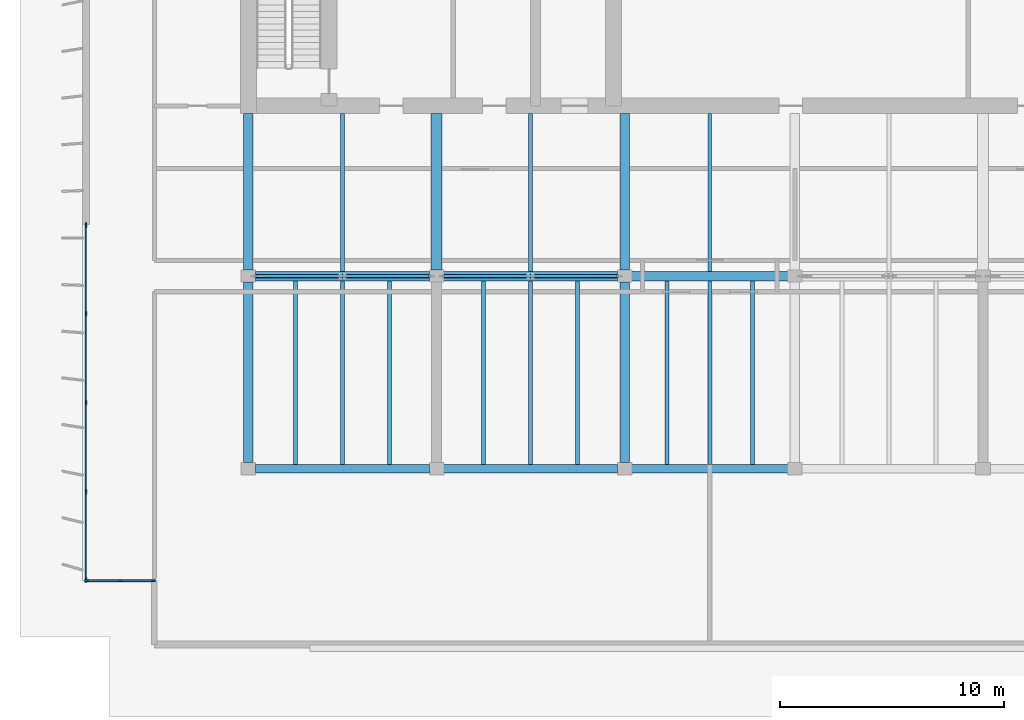
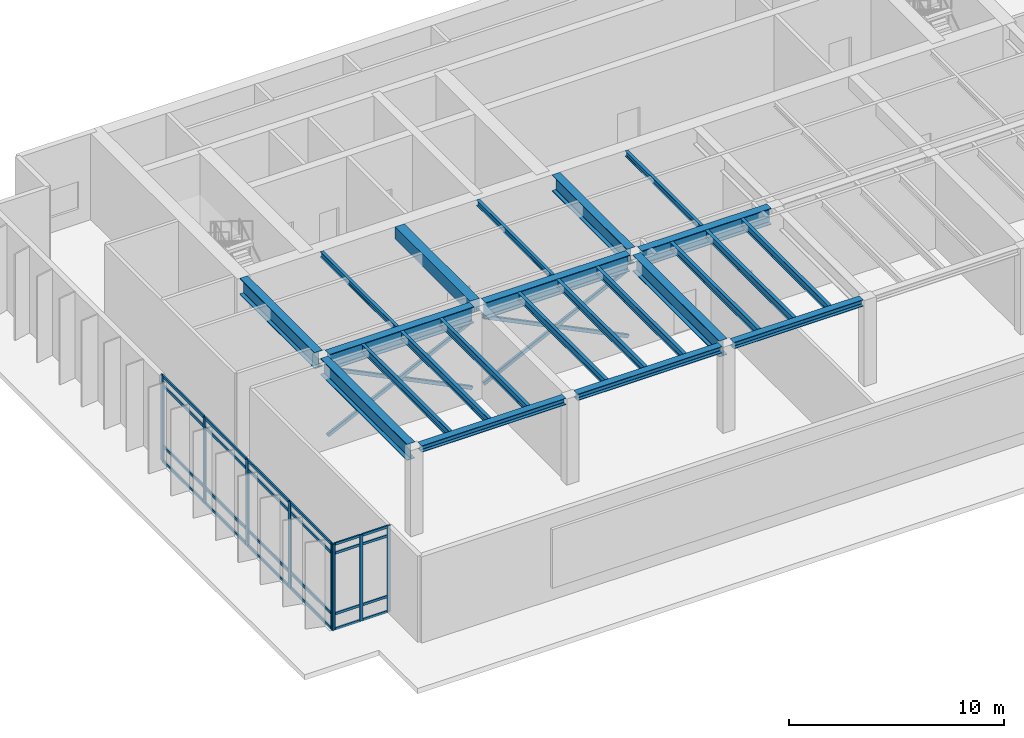
# One storey, part 2 of 12: 38 members, 23 beams, 2 elements without a shape of their own.
"""IFC4 building model written with IfcOpenShell, lengths in metres."""

from ifc_helpers import new_model, si_unit, direction, frame, origin, origin_2d, place, context, subcontext, project, spatial, rectangle, hollow_rectangle, i_section, extrude, material, layer, layer_set, material_profile, profile_set, type_object, element, aggregate, save


model = new_model("IFC4")

# Units and contexts
model_context = context("Model", 3, precision=1e-05, world=origin(), true_north=direction((0.0, 1.0)))
body_context = subcontext(model_context, "Body", "Model", "MODEL_VIEW")
ifc_project = project(units=[si_unit("LENGTHUNIT", "METRE"), si_unit("AREAUNIT", "SQUARE_METRE"), si_unit("VOLUMEUNIT", "CUBIC_METRE"), si_unit("PLANEANGLEUNIT", "RADIAN"), si_unit("MASSUNIT", "GRAM", prefix="KILO")], contexts=[model_context])

# Site, building, storey
site_placement = place(None, origin())
site = spatial("IfcSite", under=ifc_project, at=site_placement, CompositionType="ELEMENT")
building_placement = place(site_placement, origin())
building = spatial("IfcBuilding", under=site, at=building_placement, Name="Caelmar Bay Residences", CompositionType="ELEMENT")
storey_placement = place(building_placement, frame((0.0, 0.0, 274.199951171875)))
storey = spatial("IfcBuildingStorey", under=building, at=storey_placement, Name="L77", CompositionType="ELEMENT", Elevation=274.199951171875)

# Beams
ifc_material_1 = material(Name="Steel ASTM A992 Grade 50", Category="steel")
ifc_material_profile_1 = material_profile(ifc_material_1, i_section(OverallWidth=0.177978515625, OverallDepth=0.406005859375, WebThickness=0.0078125, FlangeThickness=0.0126953125, FilletRadius=0.0087890625, at=origin_2d()), Name="W16X40")
ifc_profile_set_1 = profile_set([ifc_material_profile_1], Name="Steel ASTM A992 Grade 50")
beam_type_1 = type_object("IfcBeamType", Name="BM-BAL-W16X40", PredefinedType="JOIST", material=ifc_profile_set_1)
for number, where, z_axis, x_axis, name in (
    (1, (20.39990234375, 20.986572265625, 4.697021484375), (0.0, 1.0, 0.0), (-1.0, 0.0, 0.0), "L77 Composite Floor Joist 1"),
    (2, (22.5, 20.986572265625, 4.697021484375), (0.0, 1.0, 0.0), (-1.0, 0.0, 0.0), "L77 Composite Floor Joist 2"),
    (3, (24.60009765625, 20.986572265625, 4.697021484375), (0.0, 1.0, 0.0), (-1.0, 0.0, 0.0), "L77 Composite Floor Joist 3"),
    (4, (28.800048828125, 20.986572265625, 4.697021484375), (0.0, 1.0, 0.0), (-1.0, 0.0, 0.0), "L77 Composite Floor Joist 4"),
    (5, (30.89990234375, 20.986572265625, 4.697021484375), (0.0, 1.0, 0.0), (-1.0, 0.0, 0.0), "L77 Composite Floor Joist 5"),
    (6, (33.0, 20.986572265625, 4.697021484375), (0.0, 1.0, 0.0), (-1.0, 0.0, 0.0), "L77 Composite Floor Joist 6"),
    (7, (37.0, 20.986572265625, 4.697021484375), (0.0, 1.0, 0.0), (-1.0, 0.0, 0.0), "L77 Composite Floor Joist 7"),
    (8, (38.89990234375, 20.986572265625, 4.697021484375), (0.0, 1.0, 0.0), (-1.0, 0.0, 0.0), "L77 Composite Floor Joist 8"),
    (9, (40.800048828125, 20.986572265625, 4.697021484375), (0.0, 1.0, 0.0), (-1.0, 0.0, 0.0), "L77 Composite Floor Joist 9"),
):
    element("IfcBeam", number, at=place(storey_placement, frame(where, z_axis=z_axis, x_axis=x_axis)), inside=storey, type_object=beam_type_1, Name=name, PredefinedType="JOIST", context=body_context, shape_type="SweptSolid", body=[
        extrude(i_section(OverallWidth=0.177978515625, OverallDepth=0.406005859375, WebThickness=0.0078125, FlangeThickness=0.0126953125, FilletRadius=0.0087890625, at=origin_2d()), origin(), (0.0, 0.0, 1.0), 8.202392578125),
    ])
ifc_material_profile_2 = material_profile(ifc_material_1, i_section(OverallWidth=0.373046875, OverallDepth=0.373046875, WebThickness=0.016357421875, FlangeThickness=0.026123046875, FilletRadius=0.01513671875, at=origin_2d()), Name="W14X132")
ifc_profile_set_2 = profile_set([ifc_material_profile_2], Name="Steel ASTM A992 Grade 50")
beam_type_2 = type_object("IfcBeamType", Name="BM-CHD-W14X132", PredefinedType="BEAM", material=ifc_profile_set_2)
for number, where, z_axis, x_axis, name in (
    (10, (18.614990234375, 20.800048828125, 4.713623046875), (1.0, 0.0, 0.0), (0.0, 1.0, 0.0), "L77 East-West Girder Y=20.80 (18.3-26.7)"),
    (11, (27.014892578125, 20.800048828125, 4.713623046875), (1.0, 0.0, 0.0), (0.0, 1.0, 0.0), "L77 East-West Girder Y=20.80 (26.7-35.1)"),
):
    element("IfcBeam", number, at=place(storey_placement, frame(where, z_axis=z_axis, x_axis=x_axis)), inside=storey, type_object=beam_type_2, Name=name, PredefinedType="BEAM", context=body_context, shape_type="SweptSolid", body=[
        extrude(i_section(OverallWidth=0.373046875, OverallDepth=0.373046875, WebThickness=0.016357421875, FlangeThickness=0.026123046875, FilletRadius=0.01513671875, at=origin_2d()), origin(), (0.0, 0.0, 1.0), 7.77001953125),
    ])
beam_1_placement = place(storey_placement, frame((35.4150390625, 20.800048828125, 4.713623046875), z_axis=(1.0, 0.0, 0.0), x_axis=(0.0, 1.0, 0.0)))
element("IfcBeam", 12, at=beam_1_placement, inside=storey, type_object=beam_type_2, Name="L77 East-West Girder Y=20.80 (35.1-42.7)", PredefinedType="BEAM", context=body_context, shape_type="SweptSolid", body=[
    extrude(i_section(OverallWidth=0.373046875, OverallDepth=0.373046875, WebThickness=0.016357421875, FlangeThickness=0.026123046875, FilletRadius=0.01513671875, at=origin_2d()), origin(), (0.0, 0.0, 1.0), 6.969970703125),
])
ifc_material_profile_3 = material_profile(ifc_material_1, i_section(OverallWidth=0.422119140625, OverallDepth=0.925048828125, WebThickness=0.021240234375, FlangeThickness=0.03662109375, FilletRadius=0.020263671875, at=origin_2d()), Name="W36X262")
ifc_profile_set_3 = profile_set([ifc_material_profile_3], Name="Steel ASTM A992 Grade 50")
beam_type_3 = type_object("IfcBeamType", Name="BM-GRD-W36X262", PredefinedType="BEAM", material=ifc_profile_set_3)
for number, where, z_axis, x_axis, name in (
    (13, (18.614990234375, 29.39990234375, 4.4375), (1.0, 0.0, 0.0), (0.0, 1.0, 0.0), "L77 East-West Girder Y=29.40 (18.3-26.7)"),
    (14, (27.014892578125, 29.39990234375, 4.4375), (1.0, 0.0, 0.0), (0.0, 1.0, 0.0), "L77 East-West Girder Y=29.40 (26.7-35.1)"),
):
    element("IfcBeam", number, at=place(storey_placement, frame(where, z_axis=z_axis, x_axis=x_axis)), inside=storey, type_object=beam_type_3, Name=name, PredefinedType="BEAM", context=body_context, shape_type="SweptSolid", body=[
        extrude(i_section(OverallWidth=0.422119140625, OverallDepth=0.925048828125, WebThickness=0.021240234375, FlangeThickness=0.03662109375, FilletRadius=0.020263671875, at=origin_2d()), origin(), (0.0, 0.0, 1.0), 7.77001953125),
    ])
beam_2_placement = place(storey_placement, frame((35.4150390625, 29.39990234375, 4.4375), z_axis=(1.0, 0.0, 0.0), x_axis=(0.0, 1.0, 0.0)))
element("IfcBeam", 15, at=beam_2_placement, inside=storey, type_object=beam_type_3, Name="L77 East-West Girder Y=29.40 (35.1-42.7)", PredefinedType="BEAM", context=body_context, shape_type="SweptSolid", body=[
    extrude(i_section(OverallWidth=0.422119140625, OverallDepth=0.925048828125, WebThickness=0.021240234375, FlangeThickness=0.03662109375, FilletRadius=0.020263671875, at=origin_2d()), origin(), (0.0, 0.0, 1.0), 6.969970703125),
])
beam_3_placement = place(storey_placement, frame((18.300048828125, 29.6650390625, 4.4375), z_axis=(0.0, 1.0, 0.0), x_axis=(-1.0, 0.0, 0.0)))
element("IfcBeam", 16, at=beam_3_placement, inside=storey, type_object=beam_type_3, Name="L77 Core Tie Girder X=18.30", PredefinedType="BEAM", context=body_context, shape_type="SweptSolid", body=[
    extrude(i_section(OverallWidth=0.422119140625, OverallDepth=0.925048828125, WebThickness=0.021240234375, FlangeThickness=0.03662109375, FilletRadius=0.020263671875, at=origin_2d()), origin(), (0.0, 0.0, 1.0), 6.98486328125),
])
beam_4_placement = place(storey_placement, frame((18.300048828125, 21.06494140625, 4.4375), z_axis=(0.0, 1.0, 0.0), x_axis=(-1.0, 0.0, 0.0)))
element("IfcBeam", 17, at=beam_4_placement, inside=storey, type_object=beam_type_3, Name="L77 North-South Girder X=18.30 (20.8-29.4)", PredefinedType="BEAM", context=body_context, shape_type="SweptSolid", body=[
    extrude(i_section(OverallWidth=0.422119140625, OverallDepth=0.925048828125, WebThickness=0.021240234375, FlangeThickness=0.03662109375, FilletRadius=0.020263671875, at=origin_2d()), origin(), (0.0, 0.0, 1.0), 8.070068359375),
])
beam_5_placement = place(storey_placement, frame((35.10009765625, 29.6650390625, 4.4375), z_axis=(0.0, 1.0, 0.0), x_axis=(-1.0, 0.0, 0.0)))
element("IfcBeam", 18, at=beam_5_placement, inside=storey, type_object=beam_type_3, Name="L77 Core Tie Girder X=35.10", PredefinedType="BEAM", context=body_context, shape_type="SweptSolid", body=[
    extrude(i_section(OverallWidth=0.422119140625, OverallDepth=0.925048828125, WebThickness=0.021240234375, FlangeThickness=0.03662109375, FilletRadius=0.020263671875, at=origin_2d()), origin(), (0.0, 0.0, 1.0), 6.98486328125),
])
beam_6_placement = place(storey_placement, frame((35.10009765625, 21.06494140625, 4.4375), z_axis=(0.0, 1.0, 0.0), x_axis=(-1.0, 0.0, 0.0)))
element("IfcBeam", 19, at=beam_6_placement, inside=storey, type_object=beam_type_3, Name="L77 North-South Girder X=35.10 (20.8-29.4)", PredefinedType="BEAM", context=body_context, shape_type="SweptSolid", body=[
    extrude(i_section(OverallWidth=0.422119140625, OverallDepth=0.925048828125, WebThickness=0.021240234375, FlangeThickness=0.03662109375, FilletRadius=0.020263671875, at=origin_2d()), origin(), (0.0, 0.0, 1.0), 8.070068359375),
])
ifc_material_profile_4 = material_profile(ifc_material_1, i_section(OverallWidth=0.1650390625, OverallDepth=0.31005859375, WebThickness=0.005859375, FlangeThickness=0.009765625, FilletRadius=0.007568359375, at=origin_2d()), Name="W12X26")
ifc_profile_set_4 = profile_set([ifc_material_profile_4], Name="Steel ASTM A992 Grade 50")
beam_type_4 = type_object("IfcBeamType", Name="BM-JST-W12X26", PredefinedType="JOIST", material=ifc_profile_set_4)
for number, where, z_axis, x_axis, name in (
    (20, (22.5, 29.611083984375, 4.7451171875), (0.0, 1.0, 0.0), (-1.0, 0.0, 0.0), "L77 Core-Band Composite Joist 16"),
    (21, (30.89990234375, 29.611083984375, 4.7451171875), (0.0, 1.0, 0.0), (-1.0, 0.0, 0.0), "L77 Core-Band Composite Joist 17"),
    (22, (38.89990234375, 29.611083984375, 4.7451171875), (0.0, 1.0, 0.0), (-1.0, 0.0, 0.0), "L77 Core-Band Composite Joist 18"),
):
    element("IfcBeam", number, at=place(storey_placement, frame(where, z_axis=z_axis, x_axis=x_axis)), inside=storey, type_object=beam_type_4, Name=name, PredefinedType="JOIST", context=body_context, shape_type="SweptSolid", body=[
        extrude(i_section(OverallWidth=0.1650390625, OverallDepth=0.31005859375, WebThickness=0.005859375, FlangeThickness=0.009765625, FilletRadius=0.007568359375, at=origin_2d()), origin(), (0.0, 0.0, 1.0), 7.038818359375),
    ])
ifc_material_2 = material(Name="Concrete f'c 55 MPa (8,000 psi)", Category="concrete")
ifc_material_profile_5 = material_profile(ifc_material_2, rectangle(XDim=0.5, YDim=0.699951171875, at=origin_2d()), Name="RC-BM-500X700")
ifc_profile_set_5 = profile_set([ifc_material_profile_5], Name="Concrete f'c 55 MPa (8,000 psi)")
beam_type_5 = type_object("IfcBeamType", Name="BM-RC-500X700", PredefinedType="LINTEL", material=ifc_profile_set_5)
beam_7_placement = place(storey_placement, frame((26.699951171875, 29.6650390625, 4.550048828125), z_axis=(0.0, 1.0, 0.0), x_axis=(-1.0, 0.0, 0.0)))
element("IfcBeam", 23, at=beam_7_placement, inside=storey, type_object=beam_type_5, Name="L77 Shear-Wall Corridor Coupling Lintel W5", PredefinedType="LINTEL", context=body_context, shape_type="SweptSolid", body=[
    extrude(rectangle(XDim=0.5, YDim=0.699951171875, at=origin_2d()), origin(), (0.0, 0.0, 1.0), 6.98486328125),
])

# Curtain wall, members
ifc_material_3 = material(Name="Anodised bronze aluminium 6063-T6 and laminated glass", Category="aluminium")
ifc_layer_1 = layer(ifc_material_3, 0.179931640625)
ifc_layer_set_1 = layer_set([ifc_layer_1], Name="Anodised bronze aluminium 6063-T6 and laminated glass")
curtain_wall_type_1 = type_object("IfcCurtainWallType", Name="CW6-NTC", PredefinedType="NOTDEFINED", material=ifc_layer_set_1)
curtain_wall_1_placement = place(storey_placement, origin())
curtain_wall_1 = element("IfcCurtainWall", 24, at=curtain_wall_1_placement, inside=storey, type_object=curtain_wall_type_1, Name="CW6 curtain wall L77", PredefinedType="NOTDEFINED")
ifc_material_4 = material(Name="Anodised bronze aluminium 6063-T6", Category="aluminium")
ifc_material_profile_6 = material_profile(ifc_material_4, rectangle(XDim=0.080078125, YDim=0.179931640625, at=origin_2d()), Name="CWM-80X180")
ifc_profile_set_6 = profile_set([ifc_material_profile_6], Name="Anodised bronze aluminium 6063-T6")
member_type_1 = type_object("IfcMemberType", Name="CWM-180", PredefinedType="MULLION", material=ifc_profile_set_6)
member_1_placement = place(storey_placement, frame((11.090087890625, 15.800048828125, 0.0), z_axis=(0.0, 0.0, 1.0), x_axis=(0.0, 1.0, 0.0)))
member_1 = element("IfcMember", 25, at=member_1_placement, type_object=member_type_1, Name="CW6 mullion 1", PredefinedType="MULLION", context=body_context, shape_type="SweptSolid", body=[
    extrude(rectangle(XDim=0.080078125, YDim=0.179931640625, at=origin_2d()), origin(), (0.0, 0.0, 1.0), 4.900146484375),
])
member_2_placement = place(storey_placement, frame((12.574951171875, 15.800048828125, 0.0), z_axis=(0.0, 0.0, 1.0), x_axis=(0.0, 1.0, 0.0)))
member_2 = element("IfcMember", 26, at=member_2_placement, type_object=member_type_1, Name="CW6 mullion 2", PredefinedType="MULLION", context=body_context, shape_type="SweptSolid", body=[
    extrude(rectangle(XDim=0.080078125, YDim=0.179931640625, at=origin_2d()), origin(), (0.0, 0.0, 1.0), 4.900146484375),
])
member_3_placement = place(storey_placement, frame((14.06005859375, 15.800048828125, 0.0), z_axis=(0.0, 0.0, 1.0), x_axis=(0.0, 1.0, 0.0)))
member_3 = element("IfcMember", 27, at=member_3_placement, type_object=member_type_1, Name="CW6 mullion 3", PredefinedType="MULLION", context=body_context, shape_type="SweptSolid", body=[
    extrude(rectangle(XDim=0.080078125, YDim=0.179931640625, at=origin_2d()), origin(), (0.0, 0.0, 1.0), 4.900146484375),
])

ifc_layer_2 = layer(ifc_material_3, 0.179931640625)
ifc_layer_set_2 = layer_set([ifc_layer_2], Name="Anodised bronze aluminium 6063-T6 and laminated glass")
curtain_wall_type_2 = type_object("IfcCurtainWallType", Name="CW7-CRN", PredefinedType="NOTDEFINED", material=ifc_layer_set_2)
curtain_wall_2_placement = place(storey_placement, origin())
curtain_wall_2 = element("IfcCurtainWall", 28, at=curtain_wall_2_placement, inside=storey, type_object=curtain_wall_type_2, Name="CW7 curtain wall L77", PredefinedType="NOTDEFINED")
ifc_material_profile_7 = material_profile(ifc_material_4, rectangle(XDim=0.080078125, YDim=0.219970703125, at=origin_2d()), Name="CWM-80X220")
ifc_profile_set_7 = profile_set([ifc_material_profile_7], Name="Anodised bronze aluminium 6063-T6")
member_type_2 = type_object("IfcMemberType", Name="CWM-220", PredefinedType="MULLION", material=ifc_profile_set_7)
member_4_placement = place(storey_placement, frame((11.050048828125, 15.840087890625, 0.0), z_axis=(0.0, 0.0, 1.0), x_axis=(-1.0, 0.0, 0.0)))
member_4 = element("IfcMember", 29, at=member_4_placement, type_object=member_type_2, Name="CW7 mullion 1", PredefinedType="MULLION", context=body_context, shape_type="SweptSolid", body=[
    extrude(rectangle(XDim=0.080078125, YDim=0.219970703125, at=origin_2d()), origin(), (0.0, 0.0, 1.0), 4.900146484375),
])
member_5_placement = place(storey_placement, frame((11.050048828125, 19.77490234375, 0.0), z_axis=(0.0, 0.0, 1.0), x_axis=(-1.0, 0.0, 0.0)))
member_5 = element("IfcMember", 30, at=member_5_placement, type_object=member_type_2, Name="CW7 mullion 2", PredefinedType="MULLION", context=body_context, shape_type="SweptSolid", body=[
    extrude(rectangle(XDim=0.080078125, YDim=0.219970703125, at=origin_2d()), origin(), (0.0, 0.0, 1.0), 4.900146484375),
])
member_6_placement = place(storey_placement, frame((11.050048828125, 23.75, 0.0), z_axis=(0.0, 0.0, 1.0), x_axis=(-1.0, 0.0, 0.0)))
member_6 = element("IfcMember", 31, at=member_6_placement, type_object=member_type_2, Name="CW7 mullion 3", PredefinedType="MULLION", context=body_context, shape_type="SweptSolid", body=[
    extrude(rectangle(XDim=0.080078125, YDim=0.219970703125, at=origin_2d()), origin(), (0.0, 0.0, 1.0), 4.900146484375),
])
member_7_placement = place(storey_placement, frame((11.050048828125, 27.72509765625, 0.0), z_axis=(0.0, 0.0, 1.0), x_axis=(-1.0, 0.0, 0.0)))
member_7 = element("IfcMember", 32, at=member_7_placement, type_object=member_type_2, Name="CW7 mullion 4", PredefinedType="MULLION", context=body_context, shape_type="SweptSolid", body=[
    extrude(rectangle(XDim=0.080078125, YDim=0.219970703125, at=origin_2d()), origin(), (0.0, 0.0, 1.0), 4.900146484375),
])
member_8_placement = place(storey_placement, frame((11.050048828125, 31.659912109375, 0.0), z_axis=(0.0, 0.0, 1.0), x_axis=(-1.0, 0.0, 0.0)))
member_8 = element("IfcMember", 33, at=member_8_placement, type_object=member_type_2, Name="CW7 mullion 5", PredefinedType="MULLION", context=body_context, shape_type="SweptSolid", body=[
    extrude(rectangle(XDim=0.080078125, YDim=0.219970703125, at=origin_2d()), origin(), (0.0, 0.0, 1.0), 4.900146484375),
])

# Member
ifc_material_profile_8 = material_profile(ifc_material_4, rectangle(XDim=0.080078125, YDim=0.139892578125, at=origin_2d()), Name="CWT-80X140")
ifc_profile_set_8 = profile_set([ifc_material_profile_8], Name="Anodised bronze aluminium 6063-T6")
member_type_3 = type_object("IfcMemberType", Name="CWT-140", PredefinedType="NOTDEFINED", material=ifc_profile_set_8)
member_9_placement = place(storey_placement, frame((11.1298828125, 15.800048828125, 0.0400390625), z_axis=(1.0, 0.0, 0.0), x_axis=(0.0, 1.0, 0.0)))
member_9 = element("IfcMember", 34, at=member_9_placement, type_object=member_type_3, Name="CW6 transom 1.1", ObjectType="TRANSOM", PredefinedType="USERDEFINED", context=body_context, shape_type="SweptSolid", body=[
    extrude(rectangle(XDim=0.080078125, YDim=0.139892578125, at=origin_2d()), origin(), (0.0, 0.0, 1.0), 1.405029296875),
])

member_10_placement = place(storey_placement, frame((11.1298828125, 15.800048828125, 0.900146484375), z_axis=(1.0, 0.0, 0.0), x_axis=(0.0, 1.0, 0.0)))
member_10 = element("IfcMember", 35, at=member_10_placement, type_object=member_type_3, Name="CW6 transom 1.2", ObjectType="TRANSOM", PredefinedType="USERDEFINED", context=body_context, shape_type="SweptSolid", body=[
    extrude(rectangle(XDim=0.080078125, YDim=0.139892578125, at=origin_2d()), origin(), (0.0, 0.0, 1.0), 1.405029296875),
])

member_11_placement = place(storey_placement, frame((11.1298828125, 15.800048828125, 4.35009765625), z_axis=(1.0, 0.0, 0.0), x_axis=(0.0, 1.0, 0.0)))
member_11 = element("IfcMember", 36, at=member_11_placement, type_object=member_type_3, Name="CW6 transom 1.3", ObjectType="TRANSOM", PredefinedType="USERDEFINED", context=body_context, shape_type="SweptSolid", body=[
    extrude(rectangle(XDim=0.080078125, YDim=0.139892578125, at=origin_2d()), origin(), (0.0, 0.0, 1.0), 1.405029296875),
])

member_12_placement = place(storey_placement, frame((11.1298828125, 15.800048828125, 4.860107421875), z_axis=(1.0, 0.0, 0.0), x_axis=(0.0, 1.0, 0.0)))
member_12 = element("IfcMember", 37, at=member_12_placement, type_object=member_type_3, Name="CW6 transom 1.4", ObjectType="TRANSOM", PredefinedType="USERDEFINED", context=body_context, shape_type="SweptSolid", body=[
    extrude(rectangle(XDim=0.080078125, YDim=0.139892578125, at=origin_2d()), origin(), (0.0, 0.0, 1.0), 1.405029296875),
])

member_13_placement = place(storey_placement, frame((12.614990234375, 15.800048828125, 0.0400390625), z_axis=(1.0, 0.0, 0.0), x_axis=(0.0, 1.0, 0.0)))
member_13 = element("IfcMember", 38, at=member_13_placement, type_object=member_type_3, Name="CW6 transom 2.1", ObjectType="TRANSOM", PredefinedType="USERDEFINED", context=body_context, shape_type="SweptSolid", body=[
    extrude(rectangle(XDim=0.080078125, YDim=0.139892578125, at=origin_2d()), origin(), (0.0, 0.0, 1.0), 1.405029296875),
])

member_14_placement = place(storey_placement, frame((12.614990234375, 15.800048828125, 0.900146484375), z_axis=(1.0, 0.0, 0.0), x_axis=(0.0, 1.0, 0.0)))
member_14 = element("IfcMember", 39, at=member_14_placement, type_object=member_type_3, Name="CW6 transom 2.2", ObjectType="TRANSOM", PredefinedType="USERDEFINED", context=body_context, shape_type="SweptSolid", body=[
    extrude(rectangle(XDim=0.080078125, YDim=0.139892578125, at=origin_2d()), origin(), (0.0, 0.0, 1.0), 1.405029296875),
])

member_15_placement = place(storey_placement, frame((12.614990234375, 15.800048828125, 4.35009765625), z_axis=(1.0, 0.0, 0.0), x_axis=(0.0, 1.0, 0.0)))
member_15 = element("IfcMember", 40, at=member_15_placement, type_object=member_type_3, Name="CW6 transom 2.3", ObjectType="TRANSOM", PredefinedType="USERDEFINED", context=body_context, shape_type="SweptSolid", body=[
    extrude(rectangle(XDim=0.080078125, YDim=0.139892578125, at=origin_2d()), origin(), (0.0, 0.0, 1.0), 1.405029296875),
])

member_16_placement = place(storey_placement, frame((12.614990234375, 15.800048828125, 4.860107421875), z_axis=(1.0, 0.0, 0.0), x_axis=(0.0, 1.0, 0.0)))
member_16 = element("IfcMember", 41, at=member_16_placement, type_object=member_type_3, Name="CW6 transom 2.4", ObjectType="TRANSOM", PredefinedType="USERDEFINED", context=body_context, shape_type="SweptSolid", body=[
    extrude(rectangle(XDim=0.080078125, YDim=0.139892578125, at=origin_2d()), origin(), (0.0, 0.0, 1.0), 1.405029296875),
])

aggregate(curtain_wall_1, [member_1, member_2, member_3, member_9, member_10, member_11, member_12, member_13, member_14, member_15, member_16])

ifc_material_profile_9 = material_profile(ifc_material_4, rectangle(XDim=0.080078125, YDim=0.159912109375, at=origin_2d()), Name="CWT-80X160")
ifc_profile_set_9 = profile_set([ifc_material_profile_9], Name="Anodised bronze aluminium 6063-T6")
member_type_4 = type_object("IfcMemberType", Name="CWT-160", PredefinedType="NOTDEFINED", material=ifc_profile_set_9)
member_17_placement = place(storey_placement, frame((11.050048828125, 15.8798828125, 0.0400390625), z_axis=(0.0, 1.0, 0.0), x_axis=(-1.0, 0.0, 0.0)))
member_17 = element("IfcMember", 42, at=member_17_placement, type_object=member_type_4, Name="CW7 transom 1.1", ObjectType="TRANSOM", PredefinedType="USERDEFINED", context=body_context, shape_type="SweptSolid", body=[
    extrude(rectangle(XDim=0.080078125, YDim=0.159912109375, at=origin_2d()), origin(), (0.0, 0.0, 1.0), 3.855224609375),
])

member_18_placement = place(storey_placement, frame((11.050048828125, 15.8798828125, 0.900146484375), z_axis=(0.0, 1.0, 0.0), x_axis=(-1.0, 0.0, 0.0)))
member_18 = element("IfcMember", 43, at=member_18_placement, type_object=member_type_4, Name="CW7 transom 1.2", ObjectType="TRANSOM", PredefinedType="USERDEFINED", context=body_context, shape_type="SweptSolid", body=[
    extrude(rectangle(XDim=0.080078125, YDim=0.159912109375, at=origin_2d()), origin(), (0.0, 0.0, 1.0), 3.855224609375),
])

member_19_placement = place(storey_placement, frame((11.050048828125, 15.8798828125, 4.35009765625), z_axis=(0.0, 1.0, 0.0), x_axis=(-1.0, 0.0, 0.0)))
member_19 = element("IfcMember", 44, at=member_19_placement, type_object=member_type_4, Name="CW7 transom 1.3", ObjectType="TRANSOM", PredefinedType="USERDEFINED", context=body_context, shape_type="SweptSolid", body=[
    extrude(rectangle(XDim=0.080078125, YDim=0.159912109375, at=origin_2d()), origin(), (0.0, 0.0, 1.0), 3.855224609375),
])

member_20_placement = place(storey_placement, frame((11.050048828125, 15.8798828125, 4.860107421875), z_axis=(0.0, 1.0, 0.0), x_axis=(-1.0, 0.0, 0.0)))
member_20 = element("IfcMember", 45, at=member_20_placement, type_object=member_type_4, Name="CW7 transom 1.4", ObjectType="TRANSOM", PredefinedType="USERDEFINED", context=body_context, shape_type="SweptSolid", body=[
    extrude(rectangle(XDim=0.080078125, YDim=0.159912109375, at=origin_2d()), origin(), (0.0, 0.0, 1.0), 3.855224609375),
])

member_21_placement = place(storey_placement, frame((11.050048828125, 19.81494140625, 0.0400390625), z_axis=(0.0, 1.0, 0.0), x_axis=(-1.0, 0.0, 0.0)))
member_21 = element("IfcMember", 46, at=member_21_placement, type_object=member_type_4, Name="CW7 transom 2.1", ObjectType="TRANSOM", PredefinedType="USERDEFINED", context=body_context, shape_type="SweptSolid", body=[
    extrude(rectangle(XDim=0.080078125, YDim=0.159912109375, at=origin_2d()), origin(), (0.0, 0.0, 1.0), 3.89501953125),
])

member_22_placement = place(storey_placement, frame((11.050048828125, 19.81494140625, 0.900146484375), z_axis=(0.0, 1.0, 0.0), x_axis=(-1.0, 0.0, 0.0)))
member_22 = element("IfcMember", 47, at=member_22_placement, type_object=member_type_4, Name="CW7 transom 2.2", ObjectType="TRANSOM", PredefinedType="USERDEFINED", context=body_context, shape_type="SweptSolid", body=[
    extrude(rectangle(XDim=0.080078125, YDim=0.159912109375, at=origin_2d()), origin(), (0.0, 0.0, 1.0), 3.89501953125),
])

member_23_placement = place(storey_placement, frame((11.050048828125, 19.81494140625, 4.35009765625), z_axis=(0.0, 1.0, 0.0), x_axis=(-1.0, 0.0, 0.0)))
member_23 = element("IfcMember", 48, at=member_23_placement, type_object=member_type_4, Name="CW7 transom 2.3", ObjectType="TRANSOM", PredefinedType="USERDEFINED", context=body_context, shape_type="SweptSolid", body=[
    extrude(rectangle(XDim=0.080078125, YDim=0.159912109375, at=origin_2d()), origin(), (0.0, 0.0, 1.0), 3.89501953125),
])

member_24_placement = place(storey_placement, frame((11.050048828125, 19.81494140625, 4.860107421875), z_axis=(0.0, 1.0, 0.0), x_axis=(-1.0, 0.0, 0.0)))
member_24 = element("IfcMember", 49, at=member_24_placement, type_object=member_type_4, Name="CW7 transom 2.4", ObjectType="TRANSOM", PredefinedType="USERDEFINED", context=body_context, shape_type="SweptSolid", body=[
    extrude(rectangle(XDim=0.080078125, YDim=0.159912109375, at=origin_2d()), origin(), (0.0, 0.0, 1.0), 3.89501953125),
])

member_25_placement = place(storey_placement, frame((11.050048828125, 23.7900390625, 0.0400390625), z_axis=(0.0, 1.0, 0.0), x_axis=(-1.0, 0.0, 0.0)))
member_25 = element("IfcMember", 50, at=member_25_placement, type_object=member_type_4, Name="CW7 transom 3.1", ObjectType="TRANSOM", PredefinedType="USERDEFINED", context=body_context, shape_type="SweptSolid", body=[
    extrude(rectangle(XDim=0.080078125, YDim=0.159912109375, at=origin_2d()), origin(), (0.0, 0.0, 1.0), 3.89501953125),
])

member_26_placement = place(storey_placement, frame((11.050048828125, 23.7900390625, 0.900146484375), z_axis=(0.0, 1.0, 0.0), x_axis=(-1.0, 0.0, 0.0)))
member_26 = element("IfcMember", 51, at=member_26_placement, type_object=member_type_4, Name="CW7 transom 3.2", ObjectType="TRANSOM", PredefinedType="USERDEFINED", context=body_context, shape_type="SweptSolid", body=[
    extrude(rectangle(XDim=0.080078125, YDim=0.159912109375, at=origin_2d()), origin(), (0.0, 0.0, 1.0), 3.89501953125),
])

member_27_placement = place(storey_placement, frame((11.050048828125, 23.7900390625, 4.35009765625), z_axis=(0.0, 1.0, 0.0), x_axis=(-1.0, 0.0, 0.0)))
member_27 = element("IfcMember", 52, at=member_27_placement, type_object=member_type_4, Name="CW7 transom 3.3", ObjectType="TRANSOM", PredefinedType="USERDEFINED", context=body_context, shape_type="SweptSolid", body=[
    extrude(rectangle(XDim=0.080078125, YDim=0.159912109375, at=origin_2d()), origin(), (0.0, 0.0, 1.0), 3.89501953125),
])

member_28_placement = place(storey_placement, frame((11.050048828125, 23.7900390625, 4.860107421875), z_axis=(0.0, 1.0, 0.0), x_axis=(-1.0, 0.0, 0.0)))
member_28 = element("IfcMember", 53, at=member_28_placement, type_object=member_type_4, Name="CW7 transom 3.4", ObjectType="TRANSOM", PredefinedType="USERDEFINED", context=body_context, shape_type="SweptSolid", body=[
    extrude(rectangle(XDim=0.080078125, YDim=0.159912109375, at=origin_2d()), origin(), (0.0, 0.0, 1.0), 3.89501953125),
])

member_29_placement = place(storey_placement, frame((11.050048828125, 27.764892578125, 0.0400390625), z_axis=(0.0, 1.0, 0.0), x_axis=(-1.0, 0.0, 0.0)))
member_29 = element("IfcMember", 54, at=member_29_placement, type_object=member_type_4, Name="CW7 transom 4.1", ObjectType="TRANSOM", PredefinedType="USERDEFINED", context=body_context, shape_type="SweptSolid", body=[
    extrude(rectangle(XDim=0.080078125, YDim=0.159912109375, at=origin_2d()), origin(), (0.0, 0.0, 1.0), 3.855224609375),
])

member_30_placement = place(storey_placement, frame((11.050048828125, 27.764892578125, 0.900146484375), z_axis=(0.0, 1.0, 0.0), x_axis=(-1.0, 0.0, 0.0)))
member_30 = element("IfcMember", 55, at=member_30_placement, type_object=member_type_4, Name="CW7 transom 4.2", ObjectType="TRANSOM", PredefinedType="USERDEFINED", context=body_context, shape_type="SweptSolid", body=[
    extrude(rectangle(XDim=0.080078125, YDim=0.159912109375, at=origin_2d()), origin(), (0.0, 0.0, 1.0), 3.855224609375),
])

member_31_placement = place(storey_placement, frame((11.050048828125, 27.764892578125, 4.35009765625), z_axis=(0.0, 1.0, 0.0), x_axis=(-1.0, 0.0, 0.0)))
member_31 = element("IfcMember", 56, at=member_31_placement, type_object=member_type_4, Name="CW7 transom 4.3", ObjectType="TRANSOM", PredefinedType="USERDEFINED", context=body_context, shape_type="SweptSolid", body=[
    extrude(rectangle(XDim=0.080078125, YDim=0.159912109375, at=origin_2d()), origin(), (0.0, 0.0, 1.0), 3.855224609375),
])

member_32_placement = place(storey_placement, frame((11.050048828125, 27.764892578125, 4.860107421875), z_axis=(0.0, 1.0, 0.0), x_axis=(-1.0, 0.0, 0.0)))
member_32 = element("IfcMember", 57, at=member_32_placement, type_object=member_type_4, Name="CW7 transom 4.4", ObjectType="TRANSOM", PredefinedType="USERDEFINED", context=body_context, shape_type="SweptSolid", body=[
    extrude(rectangle(XDim=0.080078125, YDim=0.159912109375, at=origin_2d()), origin(), (0.0, 0.0, 1.0), 3.855224609375),
])

aggregate(curtain_wall_2, [member_4, member_5, member_6, member_7, member_8, member_17, member_18, member_19, member_20, member_21, member_22, member_23, member_24, member_25, member_26, member_27, member_28, member_29, member_30, member_31, member_32])

# Members
ifc_material_5 = material(Name="Steel ASTM A500 Grade C", Category="steel")
ifc_material_profile_10 = material_profile(ifc_material_5, hollow_rectangle(XDim=0.152099609375, YDim=0.202880859375, WallThickness=0.01171875, InnerFilletRadius=0.01171875, OuterFilletRadius=0.023681640625, at=origin_2d()), Name="HSS200X150X12.7")
ifc_profile_set_10 = profile_set([ifc_material_profile_10], Name="Steel ASTM A500 Grade C")
member_type_5 = type_object("IfcMemberType", Name="MEM-BRC-HSS200X150", PredefinedType="BRACE", material=ifc_profile_set_10)
member_33_placement = place(storey_placement, frame((18.614990234375, 29.39990234375, 0.179931640625), z_axis=(0.897864746864, 0.0, 0.440271389416), x_axis=(0.0, 1.0, 0.0)))
element("IfcMember", 58, at=member_33_placement, inside=storey, type_object=member_type_5, Name="L77 Crown X-Brace Continuous Diagonal 1", PredefinedType="BRACE", context=body_context, shape_type="SweptSolid", body=[
    extrude(hollow_rectangle(XDim=0.152099609375, YDim=0.202880859375, WallThickness=0.01171875, InnerFilletRadius=0.01171875, OuterFilletRadius=0.023681640625, at=origin_2d()), origin(), (0.0, 0.0, 1.0), 8.65380859375),
])
for number, where, z_axis, x_axis, name in (
    (59, (26.385009765625, 29.39990234375, 0.179931640625), (-0.897840820361, 0.0, 0.44032018043), (0.0, -1.0, 0.0), "L77 Crown X-Brace Lower Split Diagonal 1A"),
    (60, (22.39990234375, 29.39990234375, 2.134033203125), (-0.897863715305, 0.0, 0.440273493114), (0.0, -1.0, 0.0), "L77 Crown X-Brace Upper Split Diagonal 1B"),
):
    element("IfcMember", number, at=place(storey_placement, frame(where, z_axis=z_axis, x_axis=x_axis)), inside=storey, type_object=member_type_5, Name=name, PredefinedType="BRACE", context=body_context, shape_type="SweptSolid", body=[
        extrude(hollow_rectangle(XDim=0.152099609375, YDim=0.202880859375, WallThickness=0.01171875, InnerFilletRadius=0.01171875, OuterFilletRadius=0.023681640625, at=origin_2d()), origin(), (0.0, 0.0, 1.0), 4.215576171875),
    ])
member_34_placement = place(storey_placement, frame((27.014892578125, 29.39990234375, 0.179931640625), z_axis=(0.897864746864, 0.0, 0.440271389416), x_axis=(0.0, 1.0, 0.0)))
element("IfcMember", 61, at=member_34_placement, inside=storey, type_object=member_type_5, Name="L77 Crown X-Brace Continuous Diagonal 2", PredefinedType="BRACE", context=body_context, shape_type="SweptSolid", body=[
    extrude(hollow_rectangle(XDim=0.152099609375, YDim=0.202880859375, WallThickness=0.01171875, InnerFilletRadius=0.01171875, OuterFilletRadius=0.023681640625, at=origin_2d()), origin(), (0.0, 0.0, 1.0), 8.65380859375),
])
for number, where, z_axis, x_axis, name in (
    (62, (34.784912109375, 29.39990234375, 0.179931640625), (-0.897840820361, 0.0, 0.44032018043), (0.0, -1.0, 0.0), "L77 Crown X-Brace Lower Split Diagonal 2A"),
    (63, (30.800048828125, 29.39990234375, 2.134033203125), (-0.89787494081, 0.0, 0.440250599847), (0.0, -1.0, 0.0), "L77 Crown X-Brace Upper Split Diagonal 2B"),
):
    element("IfcMember", number, at=place(storey_placement, frame(where, z_axis=z_axis, x_axis=x_axis)), inside=storey, type_object=member_type_5, Name=name, PredefinedType="BRACE", context=body_context, shape_type="SweptSolid", body=[
        extrude(hollow_rectangle(XDim=0.152099609375, YDim=0.202880859375, WallThickness=0.01171875, InnerFilletRadius=0.01171875, OuterFilletRadius=0.023681640625, at=origin_2d()), origin(), (0.0, 0.0, 1.0), 4.215576171875),
    ])

save(model, "model.ifc")
